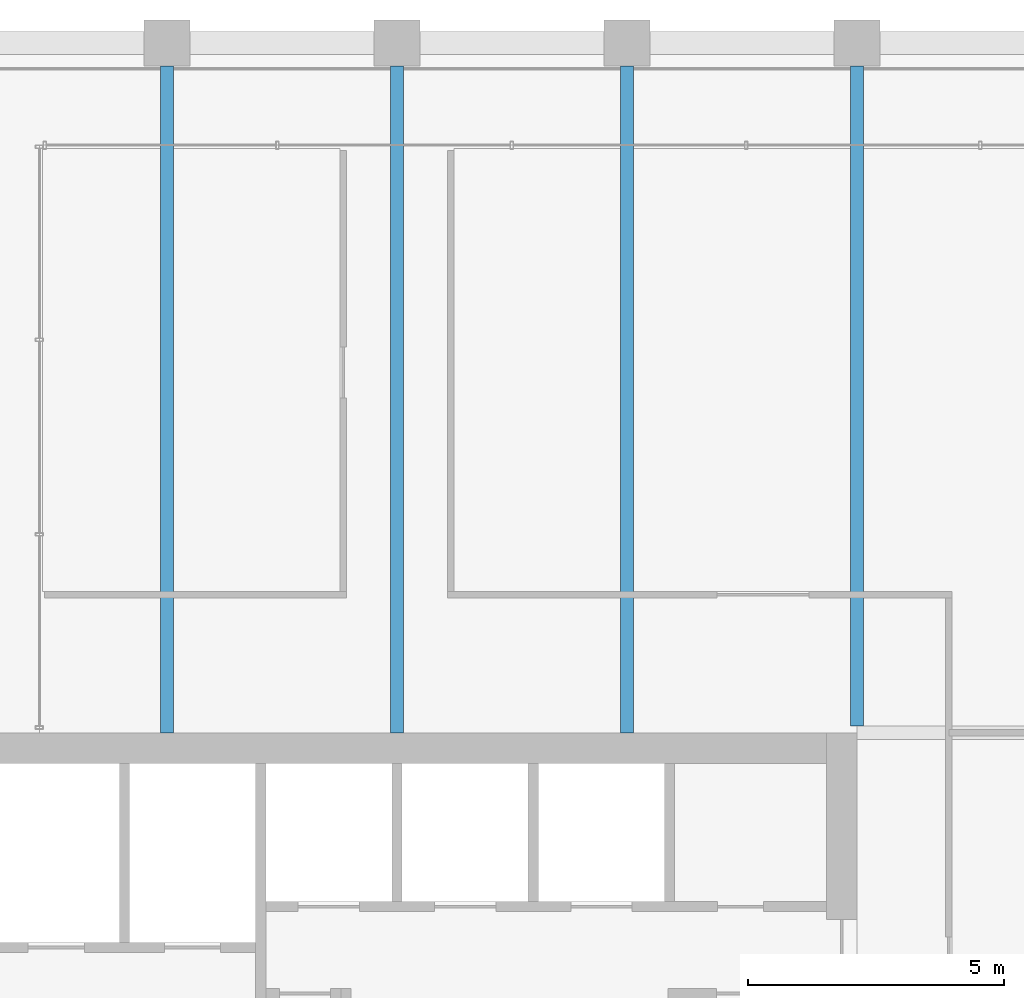
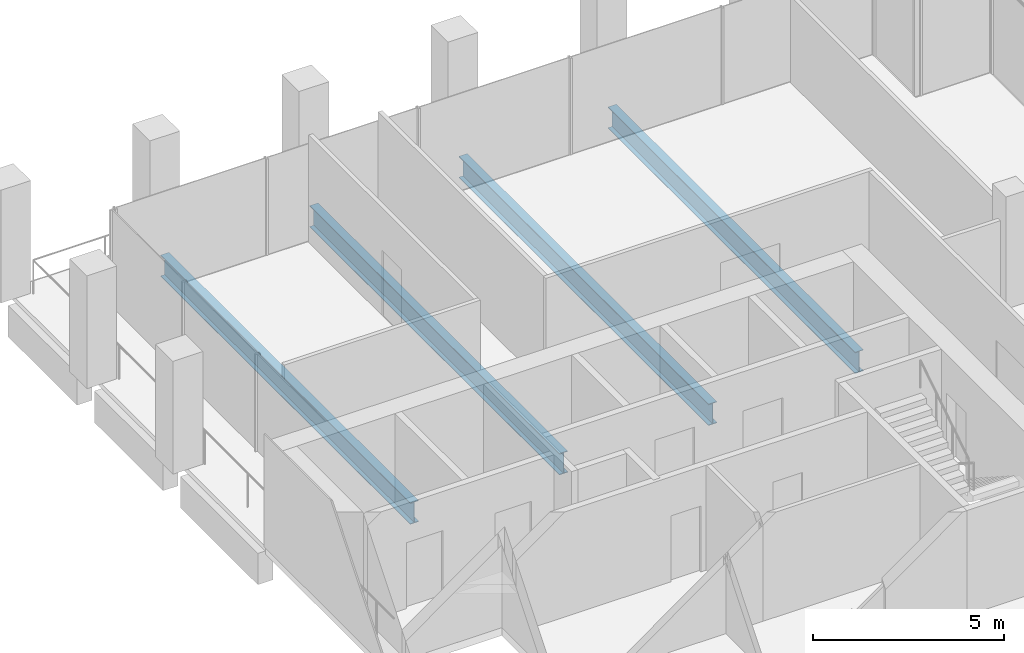
# One storey, part 22 of 40: 4 beams.
"""IFC4 building model written with IfcOpenShell, lengths in metres."""

from ifc_helpers import new_model, si_unit, direction, frame, origin, origin_2d, place, context, subcontext, project, spatial, i_section, extrude, material, material_profile, profile_set, type_object, element, save


model = new_model("IFC4")

# Units and contexts
model_context = context("Model", 3, precision=1e-05, world=origin(), true_north=direction((0.0, 1.0)))
body_context = subcontext(model_context, "Body", "Model", "MODEL_VIEW")
ifc_project = project(units=[si_unit("LENGTHUNIT", "METRE"), si_unit("AREAUNIT", "SQUARE_METRE"), si_unit("VOLUMEUNIT", "CUBIC_METRE"), si_unit("PLANEANGLEUNIT", "RADIAN"), si_unit("MASSUNIT", "GRAM", prefix="KILO")], contexts=[model_context])

# Site, building, storey
site_placement = place(None, origin())
site = spatial("IfcSite", under=ifc_project, at=site_placement, CompositionType="ELEMENT")
building_placement = place(site_placement, origin())
building = spatial("IfcBuilding", under=site, at=building_placement, Name="Altepetl Exchange Towers", CompositionType="ELEMENT")
storey_placement = place(building_placement, frame((0.0, 0.0, 154.60009765625)))
storey = spatial("IfcBuildingStorey", under=building, at=storey_placement, Name="L38", CompositionType="ELEMENT", Elevation=154.60009765625)

# Beams
ifc_material = material(Name="Steel S355", Category="steel")
ifc_material_profile = material_profile(ifc_material, i_section(OverallWidth=0.25390625, OverallDepth=0.68408203125, WebThickness=0.012451171875, FlangeThickness=0.018798828125, at=origin_2d()), Name="W27X94")
ifc_profile_set = profile_set([ifc_material_profile], Name="Steel S355")
beam_type = type_object("IfcBeamType", Name="Floor beam W27X94", PredefinedType="BEAM", material=ifc_profile_set)
for number, where, z_axis, x_axis, name in (
    (1, (45.0, 58.5, -0.4921875), (0.0, 1.0, 0.0), (-1.0, 0.0, 0.0), "bm:A:L38:000"),
    (2, (49.5, 58.5, -0.4921875), (0.0, 1.0, 0.0), (-1.0, 0.0, 0.0), "bm:A:L38:001"),
    (3, (54.0, 58.5, -0.4921875), (0.0, 1.0, 0.0), (-1.0, 0.0, 0.0), "bm:A:L38:002"),
):
    element("IfcBeam", number, at=place(storey_placement, frame(where, z_axis=z_axis, x_axis=x_axis)), inside=storey, type_object=beam_type, Name=name, PredefinedType="BEAM", context=body_context, shape_type="SweptSolid", body=[
        extrude(i_section(OverallWidth=0.25390625, OverallDepth=0.68408203125, WebThickness=0.012451171875, FlangeThickness=0.018798828125, at=origin_2d()), origin(), (0.0, 0.0, 1.0), 13.050048828125),
    ])
beam_placement = place(storey_placement, frame((58.5, 58.634033203125, -0.4921875), z_axis=(0.0, 1.0, 0.0), x_axis=(-1.0, 0.0, 0.0)))
element("IfcBeam", 4, at=beam_placement, inside=storey, type_object=beam_type, Name="bm:A:L38:003", PredefinedType="BEAM", context=body_context, shape_type="SweptSolid", body=[
    extrude(i_section(OverallWidth=0.25390625, OverallDepth=0.68408203125, WebThickness=0.012451171875, FlangeThickness=0.018798828125, at=origin_2d()), origin(), (0.0, 0.0, 1.0), 12.916015625),
])

save(model, "model.ifc")
